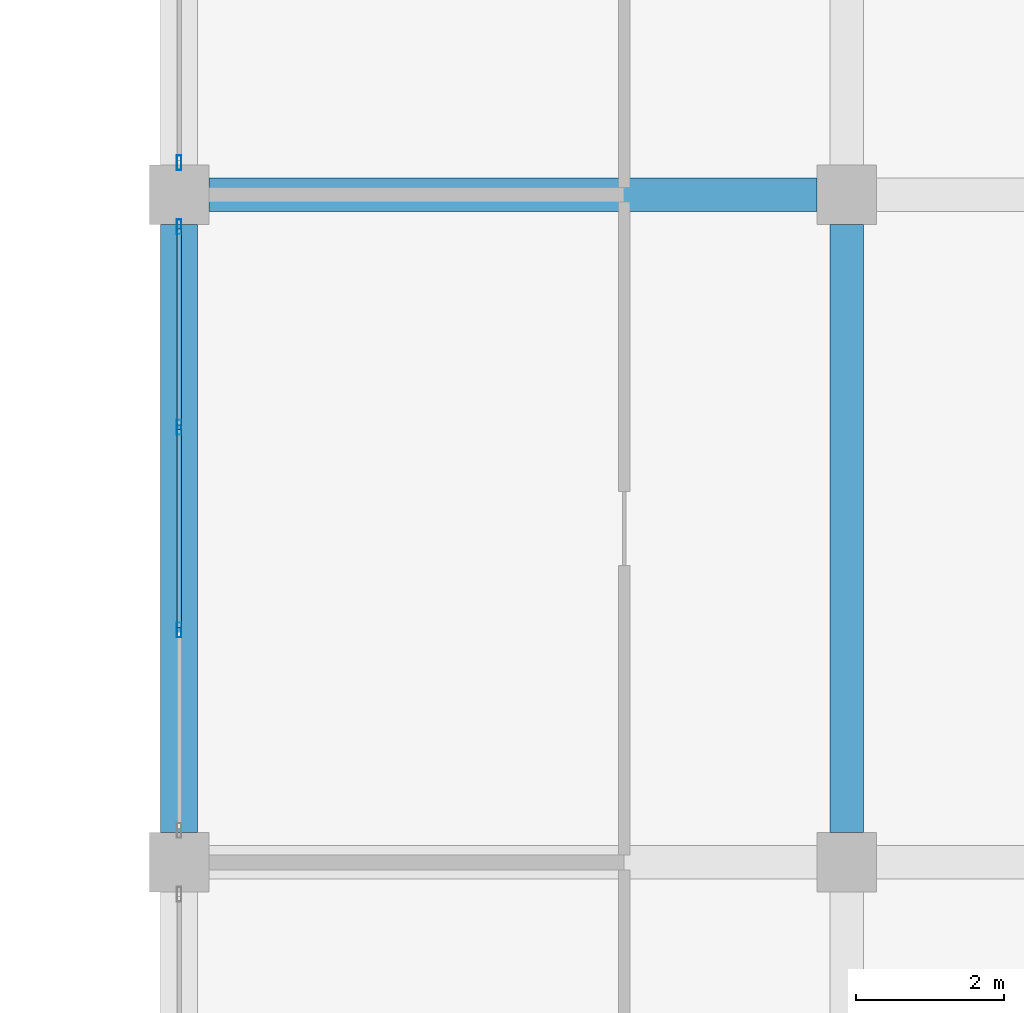
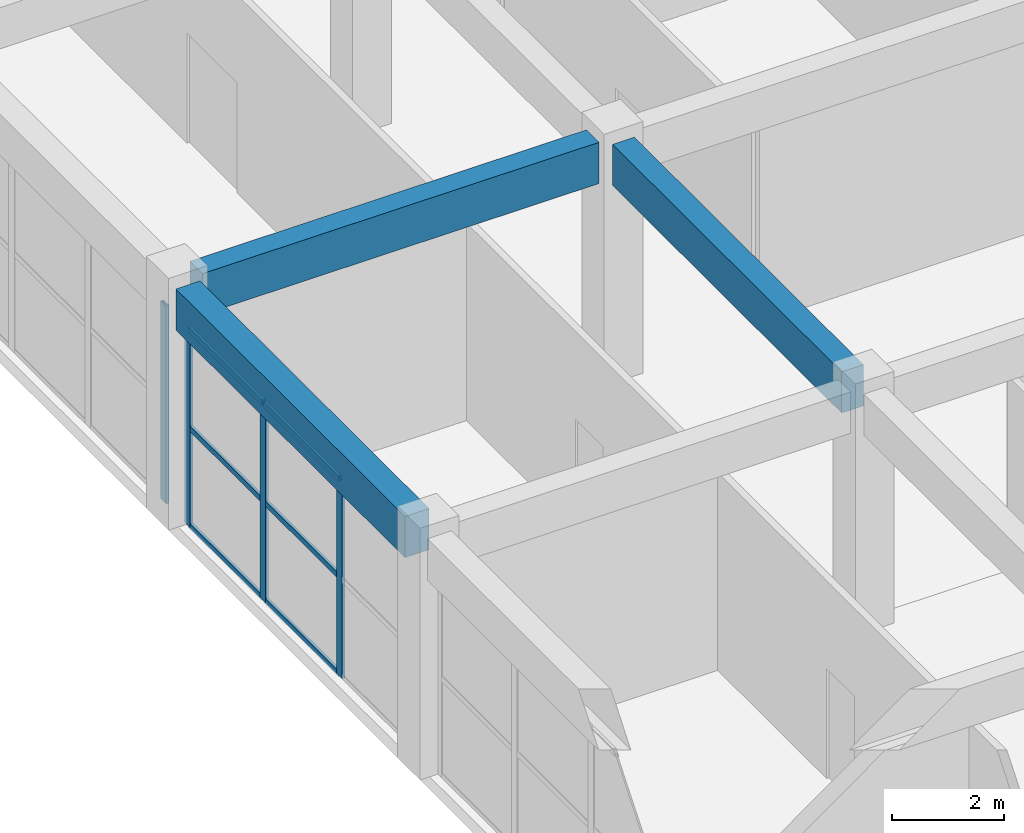
# One storey, part 206 of 437: 10 members, 3 beams, 2 elements without a shape of their own.
"""IFC4 building model written with IfcOpenShell, lengths in metres."""

from ifc_helpers import new_model, si_unit, direction, frame, origin, origin_2d, place, context, subcontext, project, spatial, rectangle, hollow_rectangle, extrude, material, layer, layer_set, material_profile, profile_set, type_object, element, aggregate, save


model = new_model("IFC4")

# Units and contexts
model_context = context("Model", 3, precision=1e-05, world=origin(), true_north=direction((0.0, 1.0)))
body_context = subcontext(model_context, "Body", "Model", "MODEL_VIEW")
ifc_project = project(units=[si_unit("LENGTHUNIT", "METRE"), si_unit("AREAUNIT", "SQUARE_METRE"), si_unit("VOLUMEUNIT", "CUBIC_METRE"), si_unit("PLANEANGLEUNIT", "RADIAN"), si_unit("MASSUNIT", "GRAM", prefix="KILO")], contexts=[model_context])

# Site, building, storey
site_placement = place(None, origin())
site = spatial("IfcSite", under=ifc_project, at=site_placement, CompositionType="ELEMENT")
building_placement = place(site_placement, origin())
building = spatial("IfcBuilding", under=site, at=building_placement, Name="Opaline Strait Convention Centre", CompositionType="ELEMENT")
storey_placement = place(building_placement, frame((0.0, 0.0, 11.5)))
storey = spatial("IfcBuildingStorey", under=building, at=storey_placement, Name="L02", CompositionType="ELEMENT", Elevation=11.5)

# Curtain wall, members
ifc_material_1 = material(Name="Aluminium framed double glazing", Category="aluminium")
ifc_layer = layer(ifc_material_1, 0.199951171875)
ifc_layer_set = layer_set([ifc_layer], Name="Aluminium framed double glazing")
curtain_wall_type = type_object("IfcCurtainWallType", Name="Curtain wall 3000 module unitised", PredefinedType="NOTDEFINED", material=ifc_layer_set)
curtain_wall_1_placement = place(storey_placement, origin())
curtain_wall_1 = element("IfcCurtainWall", 1, at=curtain_wall_1_placement, inside=storey, type_object=curtain_wall_type, Name="Curtain wall W L02 32/R", PredefinedType="NOTDEFINED")
ifc_material_2 = material(Name="Aluminium alloy 6063", Category="aluminium")
ifc_material_profile_1 = material_profile(ifc_material_2, hollow_rectangle(XDim=0.06005859375, YDim=0.199951171875, WallThickness=0.00390625, at=origin_2d()), Name="MULLION 60x200x4")
ifc_profile_set_1 = profile_set([ifc_material_profile_1], Name="Aluminium alloy 6063")
member_type_1 = type_object("IfcMemberType", Name="Curtain wall mullion 60 x 200", PredefinedType="MULLION", material=ifc_profile_set_1)
member_1_placement = place(storey_placement, frame((279.0, 138.13330078125, 0.0), z_axis=(0.0, 0.0, 1.0), x_axis=(-1.0, 0.0, 0.0)))
member_1 = element("IfcMember", 2, at=member_1_placement, type_object=member_type_1, Name="MCWR1 mullion 2", PredefinedType="MULLION", context=body_context, shape_type="SweptSolid", body=[
    extrude(hollow_rectangle(XDim=0.06005859375, YDim=0.199951171875, WallThickness=0.00390625, at=origin_2d()), origin(), (0.0, 0.0, 1.0), 4.320068359375),
])
member_2_placement = place(storey_placement, frame((279.0, 140.86669921875, 0.0), z_axis=(0.0, 0.0, 1.0), x_axis=(-1.0, 0.0, 0.0)))
member_2 = element("IfcMember", 3, at=member_2_placement, type_object=member_type_1, Name="MCWR1 mullion 3", PredefinedType="MULLION", context=body_context, shape_type="SweptSolid", body=[
    extrude(hollow_rectangle(XDim=0.06005859375, YDim=0.199951171875, WallThickness=0.00390625, at=origin_2d()), origin(), (0.0, 0.0, 1.0), 4.320068359375),
])
member_3_placement = place(storey_placement, frame((279.0, 143.570068359375, 0.0), z_axis=(0.0, 0.0, 1.0), x_axis=(-1.0, 0.0, 0.0)))
member_3 = element("IfcMember", 4, at=member_3_placement, type_object=member_type_1, Name="MCWR1 mullion 4", PredefinedType="MULLION", context=body_context, shape_type="SweptSolid", body=[
    extrude(hollow_rectangle(XDim=0.06005859375, YDim=0.199951171875, WallThickness=0.00390625, at=origin_2d()), origin(), (0.0, 0.0, 1.0), 4.320068359375),
])

# Curtain wall, member
curtain_wall_2_placement = place(storey_placement, origin())
curtain_wall_2 = element("IfcCurtainWall", 5, at=curtain_wall_2_placement, inside=storey, type_object=curtain_wall_type, Name="Curtain wall W L02 32/S", PredefinedType="NOTDEFINED")
member_4_placement = place(storey_placement, frame((279.0, 144.429931640625, 0.0), z_axis=(0.0, 0.0, 1.0), x_axis=(-1.0, 0.0, 0.0)))
member_4 = element("IfcMember", 6, at=member_4_placement, type_object=member_type_1, Name="MCWR1 mullion 1", PredefinedType="MULLION", context=body_context, shape_type="SweptSolid", body=[
    extrude(hollow_rectangle(XDim=0.06005859375, YDim=0.199951171875, WallThickness=0.00390625, at=origin_2d()), origin(), (0.0, 0.0, 1.0), 4.320068359375),
])
aggregate(curtain_wall_2, [member_4])

# Member
ifc_material_profile_2 = material_profile(ifc_material_2, hollow_rectangle(XDim=0.06005859375, YDim=0.1201171875, WallThickness=0.0029296875, at=origin_2d()), Name="TRANSOM 60x120x3")
ifc_profile_set_2 = profile_set([ifc_material_profile_2], Name="Aluminium alloy 6063")
member_type_2 = type_object("IfcMemberType", Name="Curtain wall transom 60 x 120", PredefinedType="USERDEFINED", material=ifc_profile_set_2)
member_5_placement = place(storey_placement, frame((279.0, 138.163330078125, 0.030029296875), z_axis=(0.0, 1.0, 0.0), x_axis=(-1.0, 0.0, 0.0)))
member_5 = element("IfcMember", 7, at=member_5_placement, type_object=member_type_2, Name="MCWR1 transom 2.1", ObjectType="TRANSOM", PredefinedType="USERDEFINED", context=body_context, shape_type="SweptSolid", body=[
    extrude(hollow_rectangle(XDim=0.06005859375, YDim=0.1201171875, WallThickness=0.0029296875, at=origin_2d()), origin(), (0.0, 0.0, 1.0), 2.67333984375),
])

member_6_placement = place(storey_placement, frame((279.0, 138.163330078125, 2.159912109375), z_axis=(0.0, 1.0, 0.0), x_axis=(-1.0, 0.0, 0.0)))
member_6 = element("IfcMember", 8, at=member_6_placement, type_object=member_type_2, Name="MCWR1 transom 2.2", ObjectType="TRANSOM", PredefinedType="USERDEFINED", context=body_context, shape_type="SweptSolid", body=[
    extrude(hollow_rectangle(XDim=0.06005859375, YDim=0.1201171875, WallThickness=0.0029296875, at=origin_2d()), origin(), (0.0, 0.0, 1.0), 2.67333984375),
])

member_7_placement = place(storey_placement, frame((279.0, 138.163330078125, 4.2900390625), z_axis=(0.0, 1.0, 0.0), x_axis=(-1.0, 0.0, 0.0)))
member_7 = element("IfcMember", 9, at=member_7_placement, type_object=member_type_2, Name="MCWR1 transom 2.3", ObjectType="TRANSOM", PredefinedType="USERDEFINED", context=body_context, shape_type="SweptSolid", body=[
    extrude(hollow_rectangle(XDim=0.06005859375, YDim=0.1201171875, WallThickness=0.0029296875, at=origin_2d()), origin(), (0.0, 0.0, 1.0), 2.67333984375),
])

member_8_placement = place(storey_placement, frame((279.0, 140.896728515625, 0.030029296875), z_axis=(0.0, 1.0, 0.0), x_axis=(-1.0, 0.0, 0.0)))
member_8 = element("IfcMember", 10, at=member_8_placement, type_object=member_type_2, Name="MCWR1 transom 3.1", ObjectType="TRANSOM", PredefinedType="USERDEFINED", context=body_context, shape_type="SweptSolid", body=[
    extrude(hollow_rectangle(XDim=0.06005859375, YDim=0.1201171875, WallThickness=0.0029296875, at=origin_2d()), origin(), (0.0, 0.0, 1.0), 2.643310546875),
])

member_9_placement = place(storey_placement, frame((279.0, 140.896728515625, 2.159912109375), z_axis=(0.0, 1.0, 0.0), x_axis=(-1.0, 0.0, 0.0)))
member_9 = element("IfcMember", 11, at=member_9_placement, type_object=member_type_2, Name="MCWR1 transom 3.2", ObjectType="TRANSOM", PredefinedType="USERDEFINED", context=body_context, shape_type="SweptSolid", body=[
    extrude(hollow_rectangle(XDim=0.06005859375, YDim=0.1201171875, WallThickness=0.0029296875, at=origin_2d()), origin(), (0.0, 0.0, 1.0), 2.643310546875),
])

member_10_placement = place(storey_placement, frame((279.0, 140.896728515625, 4.2900390625), z_axis=(0.0, 1.0, 0.0), x_axis=(-1.0, 0.0, 0.0)))
member_10 = element("IfcMember", 12, at=member_10_placement, type_object=member_type_2, Name="MCWR1 transom 3.3", ObjectType="TRANSOM", PredefinedType="USERDEFINED", context=body_context, shape_type="SweptSolid", body=[
    extrude(hollow_rectangle(XDim=0.06005859375, YDim=0.1201171875, WallThickness=0.0029296875, at=origin_2d()), origin(), (0.0, 0.0, 1.0), 2.643310546875),
])

aggregate(curtain_wall_1, [member_1, member_2, member_3, member_5, member_6, member_7, member_8, member_9, member_10])

# Beams
ifc_material_3 = material(Name="Concrete C35", Category="concrete")
ifc_material_profile_3 = material_profile(ifc_material_3, rectangle(XDim=0.449951171875, YDim=0.89990234375, at=origin_2d()), Name="RC 450x900")
ifc_profile_set_3 = profile_set([ifc_material_profile_3], Name="Concrete C35")
beam_type_1 = type_object("IfcBeamType", Name="RC beam 450x900 C35", PredefinedType="BEAM", material=ifc_profile_set_3)
for number, where, z_axis, x_axis, name in (
    (13, (279.39990234375, 144.0, 4.77001953125), (1.0, 0.0, 0.0), (0.0, 1.0, 0.0), "XB1 L02 32/S-33/S"),
    (14, (288.0, 135.39990234375, 4.77001953125), (0.0, 1.0, 0.0), (-1.0, 0.0, 0.0), "XB1 L02 33/R-33/S"),
):
    element("IfcBeam", number, at=place(storey_placement, frame(where, z_axis=z_axis, x_axis=x_axis)), inside=storey, type_object=beam_type_1, Name=name, PredefinedType="BEAM", context=body_context, shape_type="SweptSolid", body=[
        extrude(rectangle(XDim=0.449951171875, YDim=0.89990234375, at=origin_2d()), origin(), (0.0, 0.0, 1.0), 8.2001953125),
    ])
ifc_material_profile_4 = material_profile(ifc_material_3, rectangle(XDim=0.5, YDim=0.89990234375, at=origin_2d()), Name="RC 500x900")
ifc_profile_set_4 = profile_set([ifc_material_profile_4], Name="Concrete C35")
beam_type_2 = type_object("IfcBeamType", Name="RC edge beam 500x900 C35", PredefinedType="BEAM", material=ifc_profile_set_4)
beam_placement = place(storey_placement, frame((279.0, 135.39990234375, 4.77001953125), z_axis=(0.0, 1.0, 0.0), x_axis=(-1.0, 0.0, 0.0)))
element("IfcBeam", 15, at=beam_placement, inside=storey, type_object=beam_type_2, Name="MRB2 L02 32/R-32/S", PredefinedType="BEAM", context=body_context, shape_type="SweptSolid", body=[
    extrude(rectangle(XDim=0.5, YDim=0.89990234375, at=origin_2d()), origin(), (0.0, 0.0, 1.0), 8.2001953125),
])

save(model, "model.ifc")
